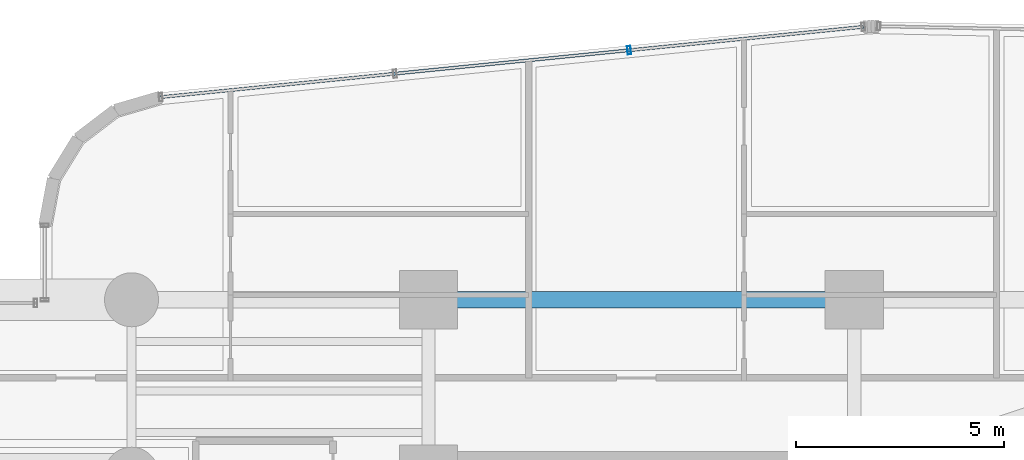
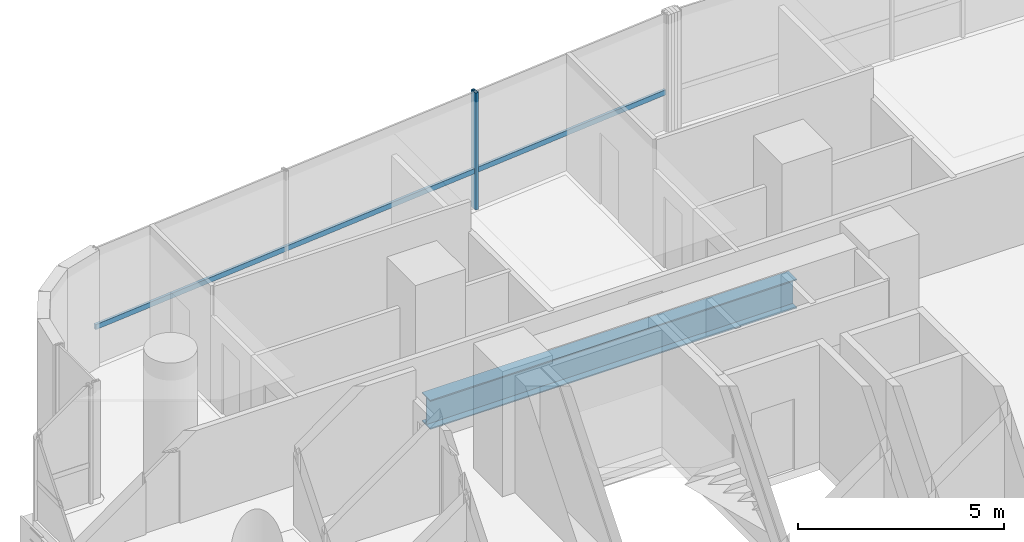
# One storey, part 20 of 42: 2 members, 1 beam, 1 element without a shape of its own.
"""IFC4 building model written with IfcOpenShell, lengths in metres."""

from ifc_helpers import new_model, si_unit, direction, frame, origin, origin_2d, place, context, subcontext, project, spatial, hollow_rectangle, i_section, extrude, source, transform, mapped, material, material_profile, profile_set, type_object, element, aggregate, save


model = new_model("IFC4")

# Units and contexts
model_context = context("Model", 3, precision=1e-05, world=origin(), true_north=direction((0.0, 1.0)))
body_context = subcontext(model_context, "Body", "Model", "MODEL_VIEW")
ifc_project = project(units=[si_unit("LENGTHUNIT", "METRE"), si_unit("AREAUNIT", "SQUARE_METRE"), si_unit("VOLUMEUNIT", "CUBIC_METRE"), si_unit("PLANEANGLEUNIT", "RADIAN"), si_unit("MASSUNIT", "GRAM", prefix="KILO")], contexts=[model_context])

# Site, building, storey
site_placement = place(None, origin())
site = spatial("IfcSite", under=ifc_project, at=site_placement, CompositionType="ELEMENT")
building_placement = place(site_placement, origin())
building = spatial("IfcBuilding", under=site, at=building_placement, Name="Valdorenza Pilgrim Sanctuary Tower", CompositionType="ELEMENT")
storey_placement = place(building_placement, frame((0.0, 0.0, 55.60009765625)))
storey = spatial("IfcBuildingStorey", under=building, at=storey_placement, Name="L13", CompositionType="ELEMENT", Elevation=55.60009765625)

# Beam
ifc_material_1 = material(Name="Steel ASTM A992 Grade 50", Category="steel")
ifc_material_profile_1 = material_profile(ifc_material_1, i_section(OverallWidth=0.39990234375, OverallDepth=0.862060546875, WebThickness=0.019775390625, FlangeThickness=0.032470703125, at=origin_2d()), Name="W33X221")
ifc_profile_set_1 = profile_set([ifc_material_profile_1], Name="Steel ASTM A992 Grade 50")
beam_type = type_object("IfcBeamType", Name="STR-BM-GRD-W33", PredefinedType="BEAM", material=ifc_profile_set_1)
shared_shape_1 = source(origin(), body_context, "Body", "SweptSolid", [
    extrude(i_section(OverallWidth=0.39990234375, OverallDepth=0.862060546875, WebThickness=0.019775390625, FlangeThickness=0.032470703125, at=origin_2d()), origin(), (0.0, 0.0, 1.0), 10.25),
])
beam_placement = place(storey_placement, frame((-22.64990234375, 14.800048828125, -0.671142578125), z_axis=(1.0, 0.0, 0.0), x_axis=(0.0, 1.0, 0.0)))
element("IfcBeam", 1, at=beam_placement, inside=storey, type_object=beam_type, Name="L13 Floor Girder CA-XC-N2", PredefinedType="BEAM", context=body_context, shape_type="MappedRepresentation", body=[
    mapped(shared_shape_1, transform((0.0, 0.0, 0.0), x_axis=(1.0, 0.0, 0.0), y_axis=(0.0, 1.0, 0.0), z_axis=(0.0, 0.0, 1.0), scale=1.0)),
])

# Curtain wall, members
ifc_material_2 = material(Name="Curtain-wall IGU glazing", Category="glass")
curtain_wall_type = type_object("IfcCurtainWallType", Name="CW-SYS-02", PredefinedType="NOTDEFINED", material=ifc_material_2)
curtain_wall_placement = place(storey_placement, origin())
curtain_wall = element("IfcCurtainWall", 2, at=curtain_wall_placement, inside=storey, type_object=curtain_wall_type, Name="L13 Curtain Wall CW-L13-1-6", PredefinedType="NOTDEFINED")
ifc_material_3 = material(Name="Anodised aluminium AW-6060", Category="aluminium")
ifc_material_profile_2 = material_profile(ifc_material_3, hollow_rectangle(XDim=0.0849609375, YDim=0.199951171875, WallThickness=0.0048828125, at=origin_2d()), Name="ALU-M 200x85x5")
ifc_profile_set_2 = profile_set([ifc_material_profile_2], Name="Anodised aluminium AW-6060")
member_type_1 = type_object("IfcMemberType", Name="CW-MUL-02", PredefinedType="MULLION", material=ifc_profile_set_2)
shared_shape_2 = source(origin(), body_context, "Body", "SweptSolid", [
    extrude(hollow_rectangle(XDim=0.0849609375, YDim=0.199951171875, WallThickness=0.0048828125, at=origin_2d()), origin(), (0.0, 0.0, 1.0), 3.4599609375),
])
member_1_placement = place(storey_placement, frame((-17.820556640625, 20.8076171875, 0.0), z_axis=(0.0, 0.0, 1.0), x_axis=(0.995038220239, 0.099493418189, 0.0)))
member_1 = element("IfcMember", 3, at=member_1_placement, type_object=member_type_1, Name="CW-L13-1-6 Mullion 3", PredefinedType="MULLION", context=body_context, shape_type="MappedRepresentation", body=[
    mapped(shared_shape_2, transform((0.0, 0.0, 0.0), x_axis=(1.0, 0.0, 0.0), y_axis=(0.0, 1.0, 0.0), z_axis=(0.0, 0.0, 1.0), scale=1.0)),
])
ifc_material_profile_3 = material_profile(ifc_material_3, hollow_rectangle(XDim=0.074951171875, YDim=0.14990234375, WallThickness=0.00390625, at=origin_2d()), Name="ALU-T 150x75x4")
ifc_profile_set_3 = profile_set([ifc_material_profile_3], Name="Anodised aluminium AW-6060")
member_type_2 = type_object("IfcMemberType", Name="CW-TRN-02", PredefinedType="USERDEFINED", material=ifc_profile_set_3)
shared_shape_3 = source(origin(), body_context, "Body", "SweptSolid", [
    extrude(hollow_rectangle(XDim=0.074951171875, YDim=0.14990234375, WallThickness=0.00390625, at=origin_2d()), origin(), (0.0, 0.0, 1.0), 17.0),
])
member_2_placement = place(storey_placement, frame((-29.097412109375, 19.6796875, 1.119873046875), z_axis=(0.99503662143, 0.099509406661, 0.0), x_axis=(-0.099509406661, 0.99503662143, 0.0)))
member_2 = element("IfcMember", 4, at=member_2_placement, type_object=member_type_2, Name="CW-L13-1-6 Transom 1", ObjectType="TRANSOM", PredefinedType="USERDEFINED", context=body_context, shape_type="MappedRepresentation", body=[
    mapped(shared_shape_3, transform((0.0, 0.0, 0.0), x_axis=(1.0, 0.0, 0.0), y_axis=(0.0, 1.0, 0.0), z_axis=(0.0, 0.0, 1.0), scale=1.0)),
])
aggregate(curtain_wall, [member_1, member_2])

save(model, "model.ifc")
